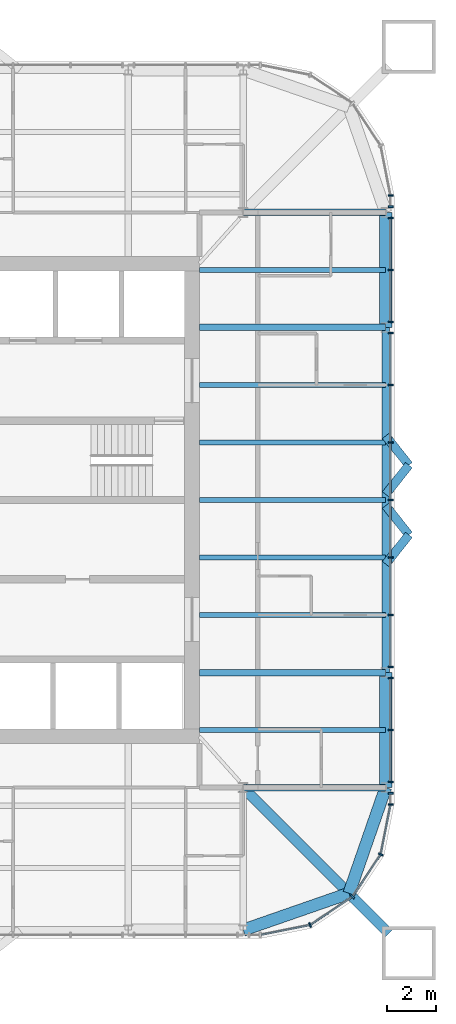
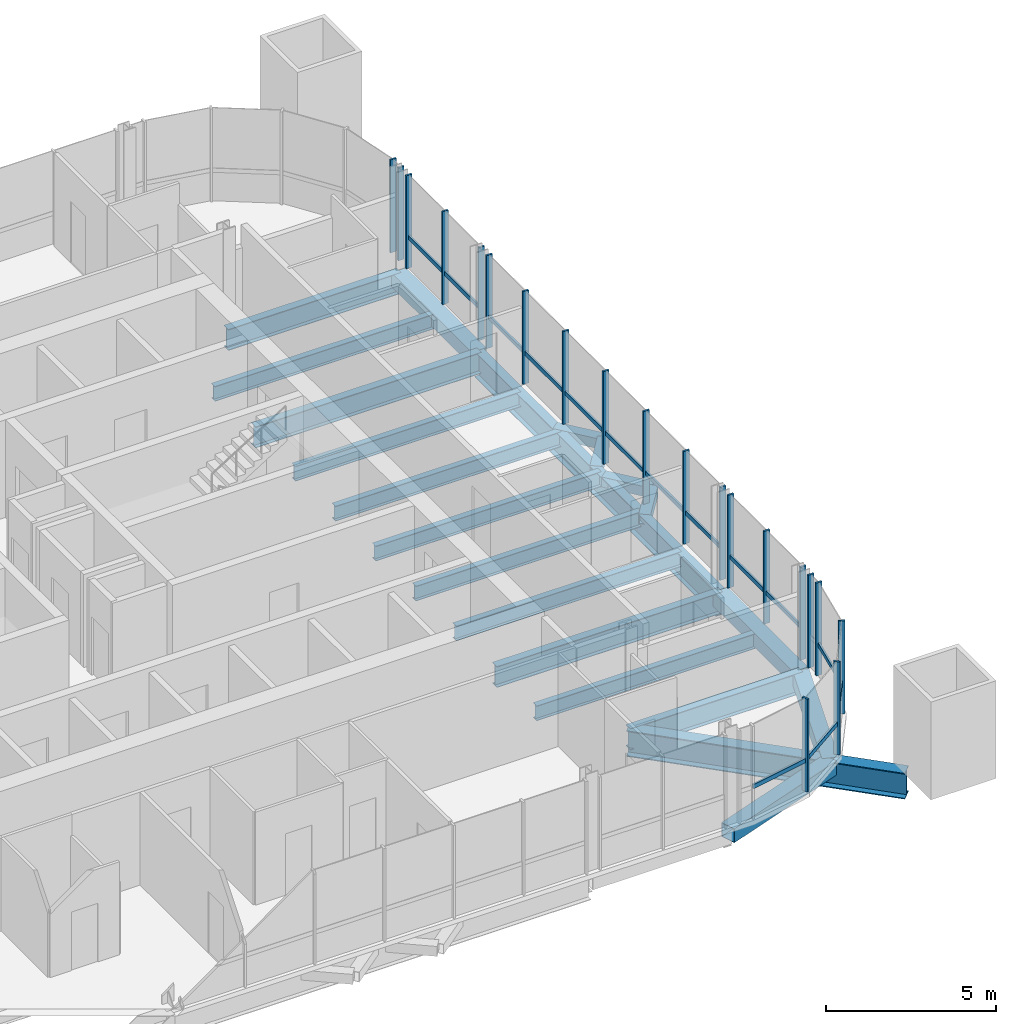
# One storey, part 5 of 17: 34 members, 21 beams, 6 elements without a shape of their own.
"""IFC4 building model written with IfcOpenShell, lengths in metres."""

from ifc_helpers import new_model, si_unit, direction, frame, origin, origin_2d, place, context, subcontext, project, spatial, rectangle, hollow_rectangle, i_section, extrude, material, material_profile, profile_set, type_object, element, aggregate, save


model = new_model("IFC4")

# Units and contexts
model_context = context("Model", 3, precision=1e-05, world=origin(), true_north=direction((0.0, 1.0)))
body_context = subcontext(model_context, "Body", "Model", "MODEL_VIEW")
ifc_project = project(units=[si_unit("LENGTHUNIT", "METRE"), si_unit("AREAUNIT", "SQUARE_METRE"), si_unit("VOLUMEUNIT", "CUBIC_METRE"), si_unit("PLANEANGLEUNIT", "RADIAN"), si_unit("MASSUNIT", "GRAM", prefix="KILO")], contexts=[model_context])

# Site, building, storey
site_placement = place(None, origin())
site = spatial("IfcSite", under=ifc_project, at=site_placement, CompositionType="ELEMENT")
building_placement = place(site_placement, origin())
building = spatial("IfcBuilding", under=site, at=building_placement, Name="Turquesa Mirador Hotel Tower", CompositionType="ELEMENT")
storey_placement = place(building_placement, frame((0.0, 0.0, 247.699951171875)))
storey = spatial("IfcBuildingStorey", under=building, at=storey_placement, Name="L67", CompositionType="ELEMENT", Elevation=247.699951171875)

# Beams
ifc_material_1 = material(Name="Steel ASTM A572 Grade 50", Category="steel")
ifc_material_profile_1 = material_profile(ifc_material_1, hollow_rectangle(XDim=0.5, YDim=0.5, WallThickness=0.01611328125, at=origin_2d()), Name="BOX500X500X16")
ifc_profile_set_1 = profile_set([ifc_material_profile_1], Name="Steel ASTM A572 Grade 50")
beam_type_1 = type_object("IfcBeamType", Name="BEAM BOX500X500X16", PredefinedType="BEAM", material=ifc_profile_set_1)
for number, where, z_axis, x_axis, name in (
    (1, (72.64990234375, 33.199951171875, -0.419921875), (0.0, 1.0, 0.0), (-1.0, 0.0, 0.0), "EB-L67-E-L"),
    (2, (72.64990234375, 52.080078125, -0.419921875), (0.0, 1.0, 0.0), (-1.0, 0.0, 0.0), "EB-L67-E-R"),
):
    element("IfcBeam", number, at=place(storey_placement, frame(where, z_axis=z_axis, x_axis=x_axis)), inside=storey, type_object=beam_type_1, Name=name, PredefinedType="BEAM", context=body_context, shape_type="SweptSolid", body=[
        extrude(hollow_rectangle(XDim=0.5, YDim=0.5, WallThickness=0.01611328125, at=origin_2d()), origin(), (0.0, 0.0, 1.0), 4.719970703125),
    ])
for number, where, z_axis, x_axis, name in (
    (3, (72.64990234375, 33.199951171875, -0.419921875), (-0.328170356092, -0.944618556552, 0.0), (0.944618556552, -0.328170356092, 0.0), "KE-L67-4-0"),
    (4, (71.1416015625, 28.8583984375, -0.419921875), (-0.944618556552, -0.328170356092, 0.0), (0.328170356092, -0.944618556552, 0.0), "KE-L67-4-1"),
):
    element("IfcBeam", number, at=place(storey_placement, frame(where, z_axis=z_axis, x_axis=x_axis)), inside=storey, type_object=beam_type_1, Name=name, PredefinedType="BEAM", context=body_context, shape_type="SweptSolid", body=[
        extrude(hollow_rectangle(XDim=0.5, YDim=0.5, WallThickness=0.01611328125, at=origin_2d()), origin(), (0.0, 0.0, 1.0), 4.59619140625),
    ])
ifc_material_2 = material(Name="Steel ASTM A992 Grade 50", Category="steel")
ifc_material_profile_2 = material_profile(ifc_material_2, i_section(OverallWidth=0.209228515625, OverallDepth=0.533447265625, WebThickness=0.01025390625, FlangeThickness=0.015625, at=origin_2d()), Name="W21X62")
ifc_profile_set_2 = profile_set([ifc_material_profile_2], Name="Steel ASTM A992 Grade 50")
beam_type_2 = type_object("IfcBeamType", Name="BEAM W21X62", PredefinedType="BEAM", material=ifc_profile_set_2)
for number, where, z_axis, x_axis, name in (
    (5, (72.64990234375, 35.56005859375, -0.436767578125), (-1.0, 0.0, 0.0), (0.0, -1.0, 0.0), "BM-L67-E--9.44"),
    (6, (72.64990234375, 40.280029296875, -0.436767578125), (-1.0, 0.0, 0.0), (0.0, -1.0, 0.0), "BM-L67-E--4.72"),
    (7, (72.64990234375, 42.639892578125, -0.436767578125), (-1.0, 0.0, 0.0), (0.0, -1.0, 0.0), "BM-L67-E--2.36"),
    (8, (72.64990234375, 45.0, -0.436767578125), (-1.0, 0.0, 0.0), (0.0, -1.0, 0.0), "BM-L67-E-+0.00"),
    (9, (72.64990234375, 47.360107421875, -0.436767578125), (-1.0, 0.0, 0.0), (0.0, -1.0, 0.0), "BM-L67-E-+2.36"),
    (10, (72.64990234375, 49.719970703125, -0.436767578125), (-1.0, 0.0, 0.0), (0.0, -1.0, 0.0), "BM-L67-E-+4.72"),
    (11, (72.64990234375, 54.43994140625, -0.436767578125), (-1.0, 0.0, 0.0), (0.0, -1.0, 0.0), "BM-L67-E-+9.44"),
):
    element("IfcBeam", number, at=place(storey_placement, frame(where, z_axis=z_axis, x_axis=x_axis)), inside=storey, type_object=beam_type_2, Name=name, PredefinedType="BEAM", context=body_context, shape_type="SweptSolid", body=[
        extrude(i_section(OverallWidth=0.209228515625, OverallDepth=0.533447265625, WebThickness=0.01025390625, FlangeThickness=0.015625, at=origin_2d()), origin(), (0.0, 0.0, 1.0), 7.64990234375),
    ])
ifc_material_3 = material(Name="Steel ASTM A992 Grade 50", Category="steel")
ifc_material_profile_3 = material_profile(ifc_material_3, i_section(OverallWidth=0.2666015625, OverallDepth=0.7568359375, WebThickness=0.013916015625, FlangeThickness=0.019287109375, at=origin_2d()), Name="W30X108")
ifc_profile_set_3 = profile_set([ifc_material_profile_3], Name="Steel ASTM A992 Grade 50")
beam_type_3 = type_object("IfcBeamType", Name="BEAM W30X108", PredefinedType="BEAM", material=ifc_profile_set_3)
for number, where, z_axis, x_axis, name in (
    (12, (72.64990234375, 37.919921875, -0.54833984375), (-1.0, 0.0, 0.0), (0.0, -1.0, 0.0), "GD-L67-E--7.08"),
    (13, (72.64990234375, 52.080078125, -0.54833984375), (-1.0, 0.0, 0.0), (0.0, -1.0, 0.0), "GD-L67-E-+7.08"),
):
    element("IfcBeam", number, at=place(storey_placement, frame(where, z_axis=z_axis, x_axis=x_axis)), inside=storey, type_object=beam_type_3, Name=name, PredefinedType="BEAM", context=body_context, shape_type="SweptSolid", body=[
        extrude(i_section(OverallWidth=0.2666015625, OverallDepth=0.7568359375, WebThickness=0.013916015625, FlangeThickness=0.019287109375, at=origin_2d()), origin(), (0.0, 0.0, 1.0), 7.64990234375),
    ])
for number, where, z_axis, x_axis, name in (
    (14, (72.64990234375, 33.199951171875, -0.54833984375), (-1.0, 0.0, 0.0), (0.0, -1.0, 0.0), "GK-L67-E--11.80"),
    (15, (72.64990234375, 56.800048828125, -0.54833984375), (-1.0, 0.0, 0.0), (0.0, -1.0, 0.0), "GK-L67-E-+11.80"),
):
    element("IfcBeam", number, at=place(storey_placement, frame(where, z_axis=z_axis, x_axis=x_axis)), inside=storey, type_object=beam_type_3, Name=name, PredefinedType="BEAM", context=body_context, shape_type="SweptSolid", body=[
        extrude(i_section(OverallWidth=0.2666015625, OverallDepth=0.7568359375, WebThickness=0.013916015625, FlangeThickness=0.019287109375, at=origin_2d()), origin(), (0.0, 0.0, 1.0), 5.849853515625),
    ])
ifc_material_4 = material(Name="Steel ASTM A992 Grade 50", Category="steel")
ifc_material_profile_4 = material_profile(ifc_material_4, i_section(OverallWidth=0.3046875, OverallDepth=0.911865234375, WebThickness=0.015869140625, FlangeThickness=0.02392578125, at=origin_2d()), Name="W36X150")
ifc_profile_set_4 = profile_set([ifc_material_profile_4], Name="Steel ASTM A992 Grade 50")
beam_type_4 = type_object("IfcBeamType", Name="BEAM W36X150", PredefinedType="BEAM", material=ifc_profile_set_4)
beam_1_placement = place(storey_placement, frame((72.64990234375, 37.919921875, -0.6259765625), z_axis=(0.0, 1.0, 0.0), x_axis=(-1.0, 0.0, 0.0)))
element("IfcBeam", 16, at=beam_1_placement, inside=storey, type_object=beam_type_4, Name="EB-L67-E-C", PredefinedType="BEAM", context=body_context, shape_type="SweptSolid", body=[
    extrude(i_section(OverallWidth=0.3046875, OverallDepth=0.911865234375, WebThickness=0.015869140625, FlangeThickness=0.02392578125, at=origin_2d()), origin(), (0.0, 0.0, 1.0), 14.16015625),
])
ifc_material_5 = material(Name="Steel ASTM A992 Grade 50", Category="steel")
ifc_material_profile_5 = material_profile(ifc_material_5, i_section(OverallWidth=0.419189453125, OverallDepth=0.927001953125, WebThickness=0.019287109375, FlangeThickness=0.031982421875, at=origin_2d()), Name="W36X231")
ifc_profile_set_5 = profile_set([ifc_material_profile_5], Name="Steel ASTM A992 Grade 50")
beam_type_5 = type_object("IfcBeamType", Name="BEAM W36X231", PredefinedType="BEAM", material=ifc_profile_set_5)
beam_2_placement = place(storey_placement, frame((66.800048828125, 33.199951171875, -0.633544921875), z_axis=(0.707106781187, -0.707106781187, 0.0), x_axis=(0.707106781187, 0.707106781187, 0.0)))
element("IfcBeam", 17, at=beam_2_placement, inside=storey, type_object=beam_type_5, Name="KD-L67-4", PredefinedType="BEAM", context=body_context, shape_type="SweptSolid", body=[
    extrude(i_section(OverallWidth=0.419189453125, OverallDepth=0.927001953125, WebThickness=0.019287109375, FlangeThickness=0.031982421875, at=origin_2d()), origin(), (0.0, 0.0, 1.0), 8.46240234375),
])
ifc_material_6 = material(Name="Steel ASTM A500 Grade C", Category="steel")
ifc_material_profile_6 = material_profile(ifc_material_6, hollow_rectangle(XDim=0.355712890625, YDim=0.355712890625, WallThickness=0.0146484375, at=origin_2d()), Name="HSS14X14X5/8")
ifc_profile_set_6 = profile_set([ifc_material_profile_6], Name="Steel ASTM A500 Grade C")
beam_type_6 = type_object("IfcBeamType", Name="BRACE STRUT HSS14X14X5/8", PredefinedType="BEAM", material=ifc_profile_set_6)
beam_3_placement = place(storey_placement, frame((73.60009765625, 43.5693359375, -0.34765625), z_axis=(-0.620719284306, -0.784032888399, 0.0), x_axis=(0.784032888399, -0.620719284306, 0.0)))
element("IfcBeam", 18, at=beam_3_placement, inside=storey, type_object=beam_type_6, Name="Brace strut", PredefinedType="BEAM", context=body_context, shape_type="SweptSolid", body=[
    extrude(hollow_rectangle(XDim=0.355712890625, YDim=0.355712890625, WallThickness=0.0146484375, at=origin_2d()), origin(), (0.0, 0.0, 1.0), 1.53076171875),
])
for number, where, z_axis, x_axis, name in (
    (19, (73.60009765625, 43.5693359375, -0.34765625), (-0.620796907089, 0.783971428146, 0.0), (-0.783971428146, -0.620796907089, 0.0), "Brace strut"),
    (20, (73.60009765625, 46.4306640625, -0.34765625), (-0.620796907089, -0.783971428146, 0.0), (0.783971428146, -0.620796907089, 0.0), "Brace strut"),
):
    element("IfcBeam", number, at=place(storey_placement, frame(where, z_axis=z_axis, x_axis=x_axis)), inside=storey, type_object=beam_type_6, Name=name, PredefinedType="BEAM", context=body_context, shape_type="SweptSolid", body=[
        extrude(hollow_rectangle(XDim=0.355712890625, YDim=0.355712890625, WallThickness=0.0146484375, at=origin_2d()), origin(), (0.0, 0.0, 1.0), 1.530517578125),
    ])
beam_4_placement = place(storey_placement, frame((73.60009765625, 46.4306640625, -0.34765625), z_axis=(-0.620719284306, 0.784032888399, 0.0), x_axis=(-0.784032888399, -0.620719284306, 0.0)))
element("IfcBeam", 21, at=beam_4_placement, inside=storey, type_object=beam_type_6, Name="Brace strut", PredefinedType="BEAM", context=body_context, shape_type="SweptSolid", body=[
    extrude(hollow_rectangle(XDim=0.355712890625, YDim=0.355712890625, WallThickness=0.0146484375, at=origin_2d()), origin(), (0.0, 0.0, 1.0), 1.53076171875),
])

# Curtain wall, members
ifc_material_7 = material(Name="Aluminium extrusion", Category="aluminium")
curtain_wall_type = type_object("IfcCurtainWallType", Name="CW-4 SUITE FRITTED CURTAIN WALL", PredefinedType="USERDEFINED", material=ifc_material_7)
curtain_wall_1_placement = place(storey_placement, origin())
curtain_wall_1 = element("IfcCurtainWall", 22, at=curtain_wall_1_placement, inside=storey, type_object=curtain_wall_type, Name="CW-4 SUITE FRITTED CURTAIN WALL L67", ObjectType="CURTAIN WALL", PredefinedType="USERDEFINED")
ifc_material_8 = material(Name="Aluminium extrusion", Category="aluminium")
ifc_material_profile_7 = material_profile(ifc_material_8, rectangle(XDim=0.06494140625, YDim=0.199951171875, at=origin_2d()), Name="MULLION 65X200")
ifc_profile_set_7 = profile_set([ifc_material_profile_7], Name="Aluminium extrusion")
member_type_1 = type_object("IfcMemberType", Name="CW MULLION 65X200", PredefinedType="MULLION", material=ifc_profile_set_7)
member_1_placement = place(storey_placement, frame((69.54736328125, 27.55712890625, 0.0), z_axis=(0.0, 0.0, 1.0), x_axis=(0.923879532511, 0.382683432365, 0.0)))
member_1 = element("IfcMember", 23, at=member_1_placement, type_object=member_type_1, Name="Mullion", PredefinedType="MULLION", context=body_context, shape_type="SweptSolid", body=[
    extrude(rectangle(XDim=0.06494140625, YDim=0.199951171875, at=origin_2d()), origin(), (0.0, 0.0, 1.0), 3.330078125),
])
member_2_placement = place(storey_placement, frame((71.282958984375, 28.717041015625, 0.0), z_axis=(0.0, 0.0, 1.0), x_axis=(0.707106781187, 0.707106781187, 0.0)))
member_2 = element("IfcMember", 24, at=member_2_placement, type_object=member_type_1, Name="Mullion", PredefinedType="MULLION", context=body_context, shape_type="SweptSolid", body=[
    extrude(rectangle(XDim=0.06494140625, YDim=0.199951171875, at=origin_2d()), origin(), (0.0, 0.0, 1.0), 3.330078125),
])
member_3_placement = place(storey_placement, frame((72.44287109375, 30.45263671875, 0.0), z_axis=(0.0, 0.0, 1.0), x_axis=(0.382683432365, 0.923879532511, 0.0)))
member_3 = element("IfcMember", 25, at=member_3_placement, type_object=member_type_1, Name="Mullion", PredefinedType="MULLION", context=body_context, shape_type="SweptSolid", body=[
    extrude(rectangle(XDim=0.06494140625, YDim=0.199951171875, at=origin_2d()), origin(), (0.0, 0.0, 1.0), 3.330078125),
])

curtain_wall_2_placement = place(storey_placement, origin())
curtain_wall_2 = element("IfcCurtainWall", 26, at=curtain_wall_2_placement, inside=storey, type_object=curtain_wall_type, Name="CW-4 SUITE FRITTED CURTAIN WALL L67", ObjectType="CURTAIN WALL", PredefinedType="USERDEFINED")
member_4_placement = place(storey_placement, frame((72.85009765625, 32.5, 0.0), z_axis=(0.0, 0.0, 1.0), x_axis=(0.0, 1.0, 0.0)))
member_4 = element("IfcMember", 27, at=member_4_placement, type_object=member_type_1, Name="Mullion", PredefinedType="MULLION", context=body_context, shape_type="SweptSolid", body=[
    extrude(rectangle(XDim=0.06494140625, YDim=0.199951171875, at=origin_2d()), origin(), (0.0, 0.0, 1.0), 3.330078125),
])
member_5_placement = place(storey_placement, frame((72.85009765625, 32.966064453125, 0.0), z_axis=(0.0, 0.0, 1.0), x_axis=(0.0, 1.0, 0.0)))
member_5 = element("IfcMember", 28, at=member_5_placement, type_object=member_type_1, Name="Mullion", PredefinedType="MULLION", context=body_context, shape_type="SweptSolid", body=[
    extrude(rectangle(XDim=0.06494140625, YDim=0.199951171875, at=origin_2d()), origin(), (0.0, 0.0, 1.0), 3.330078125),
])
aggregate(curtain_wall_2, [member_4, member_5])

curtain_wall_3_placement = place(storey_placement, origin())
curtain_wall_3 = element("IfcCurtainWall", 29, at=curtain_wall_3_placement, inside=storey, type_object=curtain_wall_type, Name="CW-4 SUITE FRITTED CURTAIN WALL L67", ObjectType="CURTAIN WALL", PredefinedType="USERDEFINED")
member_6_placement = place(storey_placement, frame((72.85009765625, 33.433837890625, 0.0), z_axis=(0.0, 0.0, 1.0), x_axis=(0.0, 1.0, 0.0)))
member_6 = element("IfcMember", 30, at=member_6_placement, type_object=member_type_1, Name="Mullion", PredefinedType="MULLION", context=body_context, shape_type="SweptSolid", body=[
    extrude(rectangle(XDim=0.06494140625, YDim=0.199951171875, at=origin_2d()), origin(), (0.0, 0.0, 1.0), 3.330078125),
])
member_7_placement = place(storey_placement, frame((72.85009765625, 35.56005859375, 0.0), z_axis=(0.0, 0.0, 1.0), x_axis=(0.0, 1.0, 0.0)))
member_7 = element("IfcMember", 31, at=member_7_placement, type_object=member_type_1, Name="Mullion", PredefinedType="MULLION", context=body_context, shape_type="SweptSolid", body=[
    extrude(rectangle(XDim=0.06494140625, YDim=0.199951171875, at=origin_2d()), origin(), (0.0, 0.0, 1.0), 3.330078125),
])
member_8_placement = place(storey_placement, frame((72.85009765625, 37.68603515625, 0.0), z_axis=(0.0, 0.0, 1.0), x_axis=(0.0, 1.0, 0.0)))
member_8 = element("IfcMember", 32, at=member_8_placement, type_object=member_type_1, Name="Mullion", PredefinedType="MULLION", context=body_context, shape_type="SweptSolid", body=[
    extrude(rectangle(XDim=0.06494140625, YDim=0.199951171875, at=origin_2d()), origin(), (0.0, 0.0, 1.0), 3.330078125),
])

curtain_wall_4_placement = place(storey_placement, origin())
curtain_wall_4 = element("IfcCurtainWall", 33, at=curtain_wall_4_placement, inside=storey, type_object=curtain_wall_type, Name="CW-4 SUITE FRITTED CURTAIN WALL L67", ObjectType="CURTAIN WALL", PredefinedType="USERDEFINED")
member_9_placement = place(storey_placement, frame((72.85009765625, 38.15380859375, 0.0), z_axis=(0.0, 0.0, 1.0), x_axis=(0.0, 1.0, 0.0)))
member_9 = element("IfcMember", 34, at=member_9_placement, type_object=member_type_1, Name="Mullion", PredefinedType="MULLION", context=body_context, shape_type="SweptSolid", body=[
    extrude(rectangle(XDim=0.06494140625, YDim=0.199951171875, at=origin_2d()), origin(), (0.0, 0.0, 1.0), 3.330078125),
])
member_10_placement = place(storey_placement, frame((72.85009765625, 40.280029296875, 0.0), z_axis=(0.0, 0.0, 1.0), x_axis=(0.0, 1.0, 0.0)))
member_10 = element("IfcMember", 35, at=member_10_placement, type_object=member_type_1, Name="Mullion", PredefinedType="MULLION", context=body_context, shape_type="SweptSolid", body=[
    extrude(rectangle(XDim=0.06494140625, YDim=0.199951171875, at=origin_2d()), origin(), (0.0, 0.0, 1.0), 3.330078125),
])
member_11_placement = place(storey_placement, frame((72.85009765625, 42.639892578125, 0.0), z_axis=(0.0, 0.0, 1.0), x_axis=(0.0, 1.0, 0.0)))
member_11 = element("IfcMember", 36, at=member_11_placement, type_object=member_type_1, Name="Mullion", PredefinedType="MULLION", context=body_context, shape_type="SweptSolid", body=[
    extrude(rectangle(XDim=0.06494140625, YDim=0.199951171875, at=origin_2d()), origin(), (0.0, 0.0, 1.0), 3.330078125),
])
member_12_placement = place(storey_placement, frame((72.85009765625, 45.0, 0.0), z_axis=(0.0, 0.0, 1.0), x_axis=(0.0, 1.0, 0.0)))
member_12 = element("IfcMember", 37, at=member_12_placement, type_object=member_type_1, Name="Mullion", PredefinedType="MULLION", context=body_context, shape_type="SweptSolid", body=[
    extrude(rectangle(XDim=0.06494140625, YDim=0.199951171875, at=origin_2d()), origin(), (0.0, 0.0, 1.0), 3.330078125),
])
member_13_placement = place(storey_placement, frame((72.85009765625, 47.360107421875, 0.0), z_axis=(0.0, 0.0, 1.0), x_axis=(0.0, 1.0, 0.0)))
member_13 = element("IfcMember", 38, at=member_13_placement, type_object=member_type_1, Name="Mullion", PredefinedType="MULLION", context=body_context, shape_type="SweptSolid", body=[
    extrude(rectangle(XDim=0.06494140625, YDim=0.199951171875, at=origin_2d()), origin(), (0.0, 0.0, 1.0), 3.330078125),
])
member_14_placement = place(storey_placement, frame((72.85009765625, 49.719970703125, 0.0), z_axis=(0.0, 0.0, 1.0), x_axis=(0.0, 1.0, 0.0)))
member_14 = element("IfcMember", 39, at=member_14_placement, type_object=member_type_1, Name="Mullion", PredefinedType="MULLION", context=body_context, shape_type="SweptSolid", body=[
    extrude(rectangle(XDim=0.06494140625, YDim=0.199951171875, at=origin_2d()), origin(), (0.0, 0.0, 1.0), 3.330078125),
])
member_15_placement = place(storey_placement, frame((72.85009765625, 51.84619140625, 0.0), z_axis=(0.0, 0.0, 1.0), x_axis=(0.0, 1.0, 0.0)))
member_15 = element("IfcMember", 40, at=member_15_placement, type_object=member_type_1, Name="Mullion", PredefinedType="MULLION", context=body_context, shape_type="SweptSolid", body=[
    extrude(rectangle(XDim=0.06494140625, YDim=0.199951171875, at=origin_2d()), origin(), (0.0, 0.0, 1.0), 3.330078125),
])

curtain_wall_5_placement = place(storey_placement, origin())
curtain_wall_5 = element("IfcCurtainWall", 41, at=curtain_wall_5_placement, inside=storey, type_object=curtain_wall_type, Name="CW-4 SUITE FRITTED CURTAIN WALL L67", ObjectType="CURTAIN WALL", PredefinedType="USERDEFINED")
member_16_placement = place(storey_placement, frame((72.85009765625, 52.31396484375, 0.0), z_axis=(0.0, 0.0, 1.0), x_axis=(0.0, 1.0, 0.0)))
member_16 = element("IfcMember", 42, at=member_16_placement, type_object=member_type_1, Name="Mullion", PredefinedType="MULLION", context=body_context, shape_type="SweptSolid", body=[
    extrude(rectangle(XDim=0.06494140625, YDim=0.199951171875, at=origin_2d()), origin(), (0.0, 0.0, 1.0), 3.330078125),
])
member_17_placement = place(storey_placement, frame((72.85009765625, 54.43994140625, 0.0), z_axis=(0.0, 0.0, 1.0), x_axis=(0.0, 1.0, 0.0)))
member_17 = element("IfcMember", 43, at=member_17_placement, type_object=member_type_1, Name="Mullion", PredefinedType="MULLION", context=body_context, shape_type="SweptSolid", body=[
    extrude(rectangle(XDim=0.06494140625, YDim=0.199951171875, at=origin_2d()), origin(), (0.0, 0.0, 1.0), 3.330078125),
])
member_18_placement = place(storey_placement, frame((72.85009765625, 56.566162109375, 0.0), z_axis=(0.0, 0.0, 1.0), x_axis=(0.0, 1.0, 0.0)))
member_18 = element("IfcMember", 44, at=member_18_placement, type_object=member_type_1, Name="Mullion", PredefinedType="MULLION", context=body_context, shape_type="SweptSolid", body=[
    extrude(rectangle(XDim=0.06494140625, YDim=0.199951171875, at=origin_2d()), origin(), (0.0, 0.0, 1.0), 3.330078125),
])

curtain_wall_6_placement = place(storey_placement, origin())
curtain_wall_6 = element("IfcCurtainWall", 45, at=curtain_wall_6_placement, inside=storey, type_object=curtain_wall_type, Name="CW-4 SUITE FRITTED CURTAIN WALL L67", ObjectType="CURTAIN WALL", PredefinedType="USERDEFINED")
member_19_placement = place(storey_placement, frame((72.85009765625, 57.033935546875, 0.0), z_axis=(0.0, 0.0, 1.0), x_axis=(0.0, 1.0, 0.0)))
member_19 = element("IfcMember", 46, at=member_19_placement, type_object=member_type_1, Name="Mullion", PredefinedType="MULLION", context=body_context, shape_type="SweptSolid", body=[
    extrude(rectangle(XDim=0.06494140625, YDim=0.199951171875, at=origin_2d()), origin(), (0.0, 0.0, 1.0), 3.330078125),
])
member_20_placement = place(storey_placement, frame((72.85009765625, 57.5, 0.0), z_axis=(0.0, 0.0, 1.0), x_axis=(0.0, 1.0, 0.0)))
member_20 = element("IfcMember", 47, at=member_20_placement, type_object=member_type_1, Name="Mullion", PredefinedType="MULLION", context=body_context, shape_type="SweptSolid", body=[
    extrude(rectangle(XDim=0.06494140625, YDim=0.199951171875, at=origin_2d()), origin(), (0.0, 0.0, 1.0), 3.330078125),
])
aggregate(curtain_wall_6, [member_19, member_20])

# Member
ifc_material_9 = material(Name="Aluminium extrusion", Category="aluminium")
ifc_material_profile_8 = material_profile(ifc_material_9, rectangle(XDim=0.06494140625, YDim=0.14990234375, at=origin_2d()), Name="TRANSOM 65X150")
ifc_profile_set_8 = profile_set([ifc_material_profile_8], Name="Aluminium extrusion")
member_type_2 = type_object("IfcMemberType", Name="CW TRANSOM 65X150", PredefinedType="USERDEFINED", material=ifc_profile_set_8)
member_21_placement = place(storey_placement, frame((67.531982421875, 27.15625, 1.10009765625), z_axis=(0.980761343592, 0.195210621934, 0.0), x_axis=(-0.195210621934, 0.980761343592, 0.0)))
member_21 = element("IfcMember", 48, at=member_21_placement, type_object=member_type_2, Name="Transom", ObjectType="TRANSOM", PredefinedType="USERDEFINED", context=body_context, shape_type="SweptSolid", body=[
    extrude(rectangle(XDim=0.06494140625, YDim=0.14990234375, at=origin_2d()), origin(), (0.0, 0.0, 1.0), 2.022216796875),
])

member_22_placement = place(storey_placement, frame((69.574462890625, 27.5751953125, 1.10009765625), z_axis=(0.831436961136, 0.555619095835, 0.0), x_axis=(-0.555619095835, 0.831436961136, 0.0)))
member_22 = element("IfcMember", 49, at=member_22_placement, type_object=member_type_2, Name="Transom", ObjectType="TRANSOM", PredefinedType="USERDEFINED", context=body_context, shape_type="SweptSolid", body=[
    extrude(rectangle(XDim=0.06494140625, YDim=0.14990234375, at=origin_2d()), origin(), (0.0, 0.0, 1.0), 2.0224609375),
])

member_23_placement = place(storey_placement, frame((71.301025390625, 28.743896484375, 1.10009765625), z_axis=(0.555619095835, 0.831436961136, 0.0), x_axis=(-0.831436961136, 0.555619095835, 0.0)))
member_23 = element("IfcMember", 50, at=member_23_placement, type_object=member_type_2, Name="Transom", ObjectType="TRANSOM", PredefinedType="USERDEFINED", context=body_context, shape_type="SweptSolid", body=[
    extrude(rectangle(XDim=0.06494140625, YDim=0.14990234375, at=origin_2d()), origin(), (0.0, 0.0, 1.0), 2.0224609375),
])

member_24_placement = place(storey_placement, frame((72.448974609375, 30.484619140625, 1.10009765625), z_axis=(0.195210621934, 0.980761343592, 0.0), x_axis=(-0.980761343592, 0.195210621934, 0.0)))
member_24 = element("IfcMember", 51, at=member_24_placement, type_object=member_type_2, Name="Transom", ObjectType="TRANSOM", PredefinedType="USERDEFINED", context=body_context, shape_type="SweptSolid", body=[
    extrude(rectangle(XDim=0.06494140625, YDim=0.14990234375, at=origin_2d()), origin(), (0.0, 0.0, 1.0), 2.022216796875),
])

aggregate(curtain_wall_1, [member_1, member_2, member_3, member_21, member_22, member_23, member_24])

member_25_placement = place(storey_placement, frame((72.85009765625, 33.46630859375, 1.10009765625), z_axis=(0.0, 1.0, 0.0), x_axis=(-1.0, 0.0, 0.0)))
member_25 = element("IfcMember", 52, at=member_25_placement, type_object=member_type_2, Name="Transom", ObjectType="TRANSOM", PredefinedType="USERDEFINED", context=body_context, shape_type="SweptSolid", body=[
    extrude(rectangle(XDim=0.06494140625, YDim=0.14990234375, at=origin_2d()), origin(), (0.0, 0.0, 1.0), 2.061279296875),
])

member_26_placement = place(storey_placement, frame((72.85009765625, 35.592529296875, 1.10009765625), z_axis=(0.0, 1.0, 0.0), x_axis=(-1.0, 0.0, 0.0)))
member_26 = element("IfcMember", 53, at=member_26_placement, type_object=member_type_2, Name="Transom", ObjectType="TRANSOM", PredefinedType="USERDEFINED", context=body_context, shape_type="SweptSolid", body=[
    extrude(rectangle(XDim=0.06494140625, YDim=0.14990234375, at=origin_2d()), origin(), (0.0, 0.0, 1.0), 2.06103515625),
])

aggregate(curtain_wall_3, [member_6, member_7, member_8, member_25, member_26])

member_27_placement = place(storey_placement, frame((72.85009765625, 38.186279296875, 1.10009765625), z_axis=(0.0, 1.0, 0.0), x_axis=(-1.0, 0.0, 0.0)))
member_27 = element("IfcMember", 54, at=member_27_placement, type_object=member_type_2, Name="Transom", ObjectType="TRANSOM", PredefinedType="USERDEFINED", context=body_context, shape_type="SweptSolid", body=[
    extrude(rectangle(XDim=0.06494140625, YDim=0.14990234375, at=origin_2d()), origin(), (0.0, 0.0, 1.0), 2.061279296875),
])

member_28_placement = place(storey_placement, frame((72.85009765625, 40.3125, 1.10009765625), z_axis=(0.0, 1.0, 0.0), x_axis=(-1.0, 0.0, 0.0)))
member_28 = element("IfcMember", 55, at=member_28_placement, type_object=member_type_2, Name="Transom", ObjectType="TRANSOM", PredefinedType="USERDEFINED", context=body_context, shape_type="SweptSolid", body=[
    extrude(rectangle(XDim=0.06494140625, YDim=0.14990234375, at=origin_2d()), origin(), (0.0, 0.0, 1.0), 2.294921875),
])

member_29_placement = place(storey_placement, frame((72.85009765625, 42.672607421875, 1.10009765625), z_axis=(0.0, 1.0, 0.0), x_axis=(-1.0, 0.0, 0.0)))
member_29 = element("IfcMember", 56, at=member_29_placement, type_object=member_type_2, Name="Transom", ObjectType="TRANSOM", PredefinedType="USERDEFINED", context=body_context, shape_type="SweptSolid", body=[
    extrude(rectangle(XDim=0.06494140625, YDim=0.14990234375, at=origin_2d()), origin(), (0.0, 0.0, 1.0), 2.294921875),
])

member_30_placement = place(storey_placement, frame((72.85009765625, 45.032470703125, 1.10009765625), z_axis=(0.0, 1.0, 0.0), x_axis=(-1.0, 0.0, 0.0)))
member_30 = element("IfcMember", 57, at=member_30_placement, type_object=member_type_2, Name="Transom", ObjectType="TRANSOM", PredefinedType="USERDEFINED", context=body_context, shape_type="SweptSolid", body=[
    extrude(rectangle(XDim=0.06494140625, YDim=0.14990234375, at=origin_2d()), origin(), (0.0, 0.0, 1.0), 2.294921875),
])

member_31_placement = place(storey_placement, frame((72.85009765625, 47.392578125, 1.10009765625), z_axis=(0.0, 1.0, 0.0), x_axis=(-1.0, 0.0, 0.0)))
member_31 = element("IfcMember", 58, at=member_31_placement, type_object=member_type_2, Name="Transom", ObjectType="TRANSOM", PredefinedType="USERDEFINED", context=body_context, shape_type="SweptSolid", body=[
    extrude(rectangle(XDim=0.06494140625, YDim=0.14990234375, at=origin_2d()), origin(), (0.0, 0.0, 1.0), 2.294921875),
])

member_32_placement = place(storey_placement, frame((72.85009765625, 49.75244140625, 1.10009765625), z_axis=(0.0, 1.0, 0.0), x_axis=(-1.0, 0.0, 0.0)))
member_32 = element("IfcMember", 59, at=member_32_placement, type_object=member_type_2, Name="Transom", ObjectType="TRANSOM", PredefinedType="USERDEFINED", context=body_context, shape_type="SweptSolid", body=[
    extrude(rectangle(XDim=0.06494140625, YDim=0.14990234375, at=origin_2d()), origin(), (0.0, 0.0, 1.0), 2.061279296875),
])

aggregate(curtain_wall_4, [member_9, member_10, member_11, member_12, member_13, member_14, member_15, member_27, member_28, member_29, member_30, member_31, member_32])

member_33_placement = place(storey_placement, frame((72.85009765625, 52.346435546875, 1.10009765625), z_axis=(0.0, 1.0, 0.0), x_axis=(-1.0, 0.0, 0.0)))
member_33 = element("IfcMember", 60, at=member_33_placement, type_object=member_type_2, Name="Transom", ObjectType="TRANSOM", PredefinedType="USERDEFINED", context=body_context, shape_type="SweptSolid", body=[
    extrude(rectangle(XDim=0.06494140625, YDim=0.14990234375, at=origin_2d()), origin(), (0.0, 0.0, 1.0), 2.06103515625),
])

member_34_placement = place(storey_placement, frame((72.85009765625, 54.472412109375, 1.10009765625), z_axis=(0.0, 1.0, 0.0), x_axis=(-1.0, 0.0, 0.0)))
member_34 = element("IfcMember", 61, at=member_34_placement, type_object=member_type_2, Name="Transom", ObjectType="TRANSOM", PredefinedType="USERDEFINED", context=body_context, shape_type="SweptSolid", body=[
    extrude(rectangle(XDim=0.06494140625, YDim=0.14990234375, at=origin_2d()), origin(), (0.0, 0.0, 1.0), 2.061279296875),
])

aggregate(curtain_wall_5, [member_16, member_17, member_18, member_33, member_34])

save(model, "model.ifc")
